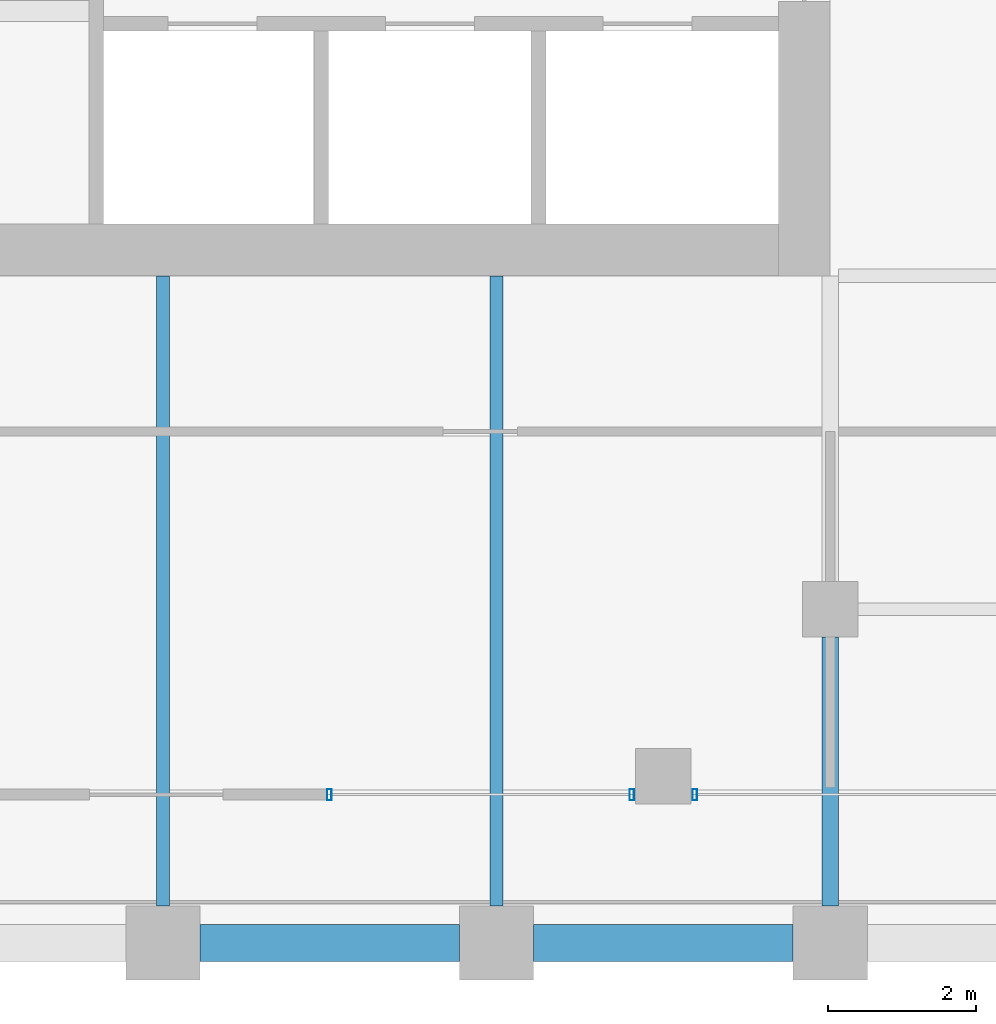
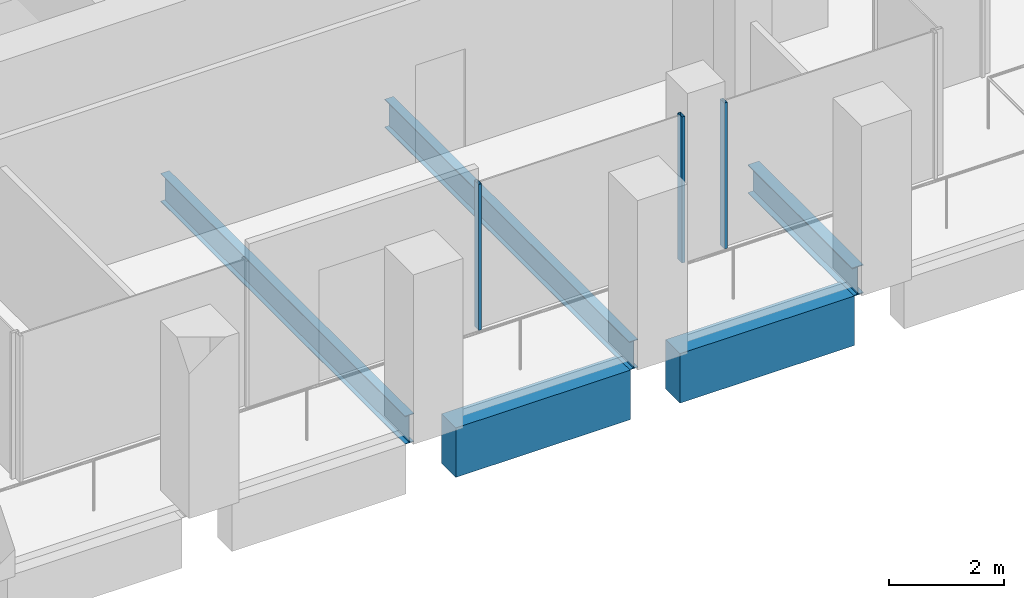
# One storey, part 31 of 46: 5 beams, 3 members, 2 elements without a shape of their own.
"""IFC4 building model written with IfcOpenShell, lengths in metres."""

from ifc_helpers import new_model, si_unit, direction, frame, origin, origin_2d, place, context, subcontext, project, spatial, rectangle, hollow_rectangle, i_section, extrude, material, material_profile, profile_set, type_object, element, aggregate, save


model = new_model("IFC4")

# Units and contexts
model_context = context("Model", 3, precision=1e-05, world=origin(), true_north=direction((0.0, 1.0)))
body_context = subcontext(model_context, "Body", "Model", "MODEL_VIEW")
ifc_project = project(units=[si_unit("LENGTHUNIT", "METRE"), si_unit("AREAUNIT", "SQUARE_METRE"), si_unit("VOLUMEUNIT", "CUBIC_METRE"), si_unit("PLANEANGLEUNIT", "RADIAN"), si_unit("MASSUNIT", "GRAM", prefix="KILO")], contexts=[model_context])

# Site, building, storey
site_placement = place(None, origin())
site = spatial("IfcSite", under=ifc_project, at=site_placement, CompositionType="ELEMENT")
building_placement = place(site_placement, origin())
building = spatial("IfcBuilding", under=site, at=building_placement, Name="Altepetl Exchange Towers", CompositionType="ELEMENT")
storey_placement = place(building_placement, frame((0.0, 0.0, 102.800048828125)))
storey = spatial("IfcBuildingStorey", under=building, at=storey_placement, Name="L25", CompositionType="ELEMENT", Elevation=102.800048828125)

# Beams
ifc_material_1 = material(Name="Steel S355", Category="steel")
ifc_material_profile_1 = material_profile(ifc_material_1, i_section(OverallWidth=0.177978515625, OverallDepth=0.59912109375, WebThickness=0.010009765625, FlangeThickness=0.0126953125, at=origin_2d()), Name="W24X55")
ifc_profile_set_1 = profile_set([ifc_material_profile_1], Name="Steel S355")
beam_type_1 = type_object("IfcBeamType", Name="Floor beam W24X55", PredefinedType="BEAM", material=ifc_profile_set_1)
for number, where, z_axis, x_axis, name in (
    (1, (108.0, 27.5, -0.449462890625), (0.0, 1.0, 0.0), (-1.0, 0.0, 0.0), "bm:B:L25:006"),
    (2, (112.5, 27.5, -0.449462890625), (0.0, 1.0, 0.0), (-1.0, 0.0, 0.0), "bm:B:L25:007"),
):
    element("IfcBeam", number, at=place(storey_placement, frame(where, z_axis=z_axis, x_axis=x_axis)), inside=storey, type_object=beam_type_1, Name=name, PredefinedType="BEAM", context=body_context, shape_type="SweptSolid", body=[
        extrude(i_section(OverallWidth=0.177978515625, OverallDepth=0.59912109375, WebThickness=0.010009765625, FlangeThickness=0.0126953125, at=origin_2d()), origin(), (0.0, 0.0, 1.0), 8.5),
    ])
ifc_material_profile_2 = material_profile(ifc_material_1, i_section(OverallWidth=0.22802734375, OverallDepth=0.60791015625, WebThickness=0.01123046875, FlangeThickness=0.017333984375, at=origin_2d()), Name="W24X76")
ifc_profile_set_2 = profile_set([ifc_material_profile_2], Name="Steel S355")
beam_type_2 = type_object("IfcBeamType", Name="Girder W24X76", PredefinedType="BEAM", material=ifc_profile_set_2)
beam_placement = place(storey_placement, frame((117.0, 31.125, -0.4541015625), z_axis=(0.0, -1.0, 0.0), x_axis=(1.0, 0.0, 0.0)))
element("IfcBeam", 3, at=beam_placement, inside=storey, type_object=beam_type_2, Name="gd:B:L25:001", PredefinedType="BEAM", context=body_context, shape_type="SweptSolid", body=[
    extrude(i_section(OverallWidth=0.22802734375, OverallDepth=0.60791015625, WebThickness=0.01123046875, FlangeThickness=0.017333984375, at=origin_2d()), origin(), (0.0, 0.0, 1.0), 3.625),
])

# Curtain wall, members
ifc_material_2 = material(Name="Aluminium 6063-T6 glazing", Category="aluminium")
curtain_wall_type = type_object("IfcCurtainWallType", Name="Loggia glazing system", PredefinedType="NOTDEFINED", material=ifc_material_2)
curtain_wall_1_placement = place(storey_placement, origin())
curtain_wall_1 = element("IfcCurtainWall", 4, at=curtain_wall_1_placement, inside=storey, type_object=curtain_wall_type, Name="CW1 run", PredefinedType="NOTDEFINED")
ifc_material_3 = material(Name="Aluminium 6063-T6", Category="aluminium")
ifc_material_profile_3 = material_profile(ifc_material_3, hollow_rectangle(XDim=0.06005859375, YDim=0.14990234375, WallThickness=0.0029296875, at=origin_2d()), Name="Mullion 60x150 aluminium")
ifc_profile_set_3 = profile_set([ifc_material_profile_3], Name="Aluminium 6063-T6")
member_type = type_object("IfcMemberType", Name="Mullion 60x150 aluminium", PredefinedType="MULLION", material=ifc_profile_set_3)
member_1_placement = place(storey_placement, frame((110.242431640625, 29.0, 0.0)))
member_1 = element("IfcMember", 5, at=member_1_placement, type_object=member_type, Name="MU1 mullion", PredefinedType="MULLION", context=body_context, shape_type="SweptSolid", body=[
    extrude(hollow_rectangle(XDim=0.06005859375, YDim=0.14990234375, WallThickness=0.0029296875, at=origin_2d()), origin(), (0.0, 0.0, 1.0), 3.099853515625),
])
member_2_placement = place(storey_placement, frame((114.324951171875, 29.0, 0.0)))
member_2 = element("IfcMember", 6, at=member_2_placement, type_object=member_type, Name="MU1 mullion", PredefinedType="MULLION", context=body_context, shape_type="SweptSolid", body=[
    extrude(hollow_rectangle(XDim=0.06005859375, YDim=0.14990234375, WallThickness=0.0029296875, at=origin_2d()), origin(), (0.0, 0.0, 1.0), 3.099853515625),
])
aggregate(curtain_wall_1, [member_1, member_2])

# Curtain wall, member
curtain_wall_2_placement = place(storey_placement, origin())
curtain_wall_2 = element("IfcCurtainWall", 7, at=curtain_wall_2_placement, inside=storey, type_object=curtain_wall_type, Name="CW1 run", PredefinedType="NOTDEFINED")
member_3_placement = place(storey_placement, frame((115.175048828125, 29.0, 0.0)))
member_3 = element("IfcMember", 8, at=member_3_placement, type_object=member_type, Name="MU1 mullion", PredefinedType="MULLION", context=body_context, shape_type="SweptSolid", body=[
    extrude(hollow_rectangle(XDim=0.06005859375, YDim=0.14990234375, WallThickness=0.0029296875, at=origin_2d()), origin(), (0.0, 0.0, 1.0), 3.099853515625),
])
aggregate(curtain_wall_2, [member_3])

# Beams
ifc_material_4 = material(Name="Concrete C50/60 precast with tezontle facing", Category="concrete")
ifc_material_profile_4 = material_profile(ifc_material_4, rectangle(XDim=0.5, YDim=1.050048828125, at=origin_2d()), Name="500 x 1050")
ifc_profile_set_4 = profile_set([ifc_material_profile_4], Name="Concrete C50/60 precast with tezontle facing")
beam_type_3 = type_object("IfcBeamType", Name="Spandrel beam 500x1050 tezontle", PredefinedType="SPANDREL", material=ifc_profile_set_4)
for number, where, z_axis, x_axis, name in (
    (9, (108.5, 27.0, -0.675048828125), (1.0, 0.0, 0.0), (0.0, 1.0, 0.0), "sp:B:L25:002"),
    (10, (113.0, 27.0, -0.675048828125), (1.0, 0.0, 0.0), (0.0, 1.0, 0.0), "sp:B:L25:003"),
):
    element("IfcBeam", number, at=place(storey_placement, frame(where, z_axis=z_axis, x_axis=x_axis)), inside=storey, type_object=beam_type_3, Name=name, PredefinedType="SPANDREL", context=body_context, shape_type="SweptSolid", body=[
        extrude(rectangle(XDim=0.5, YDim=1.050048828125, at=origin_2d()), origin(), (0.0, 0.0, 1.0), 3.5),
    ])

save(model, "model.ifc")
